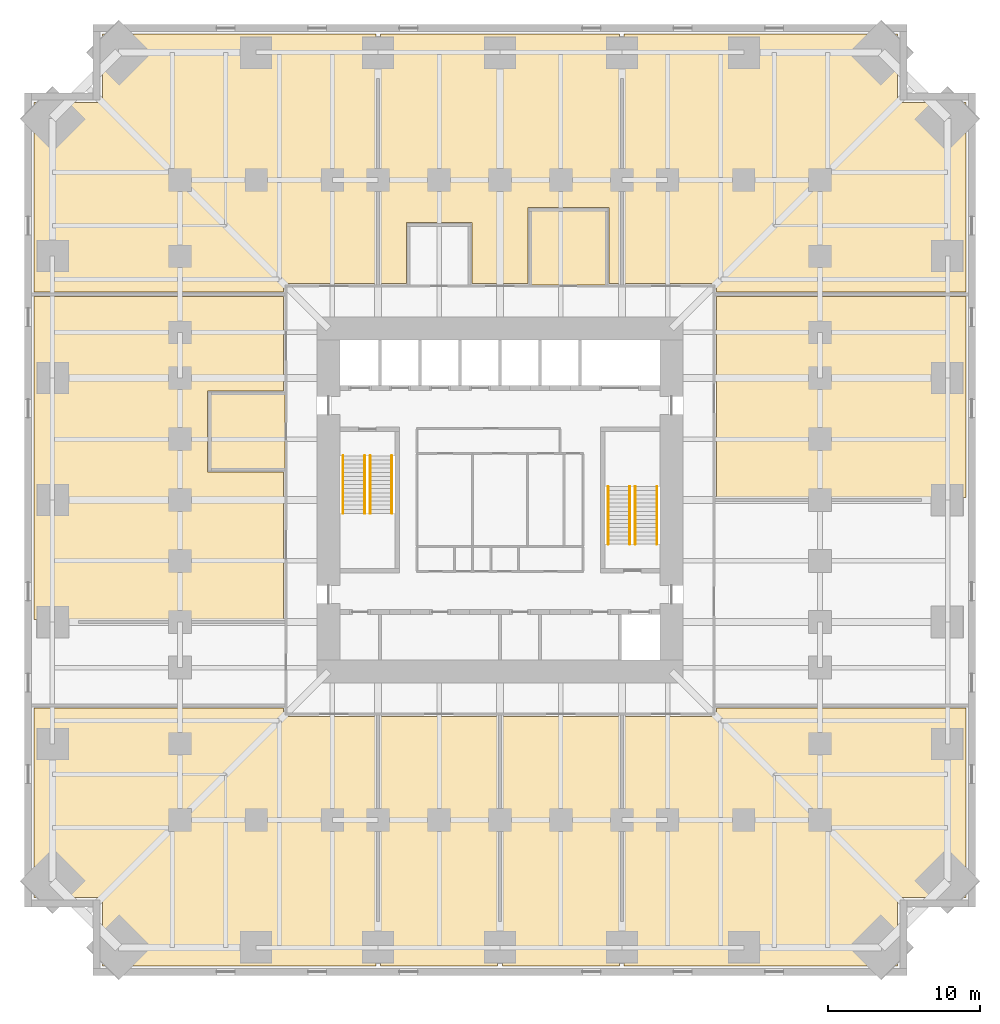
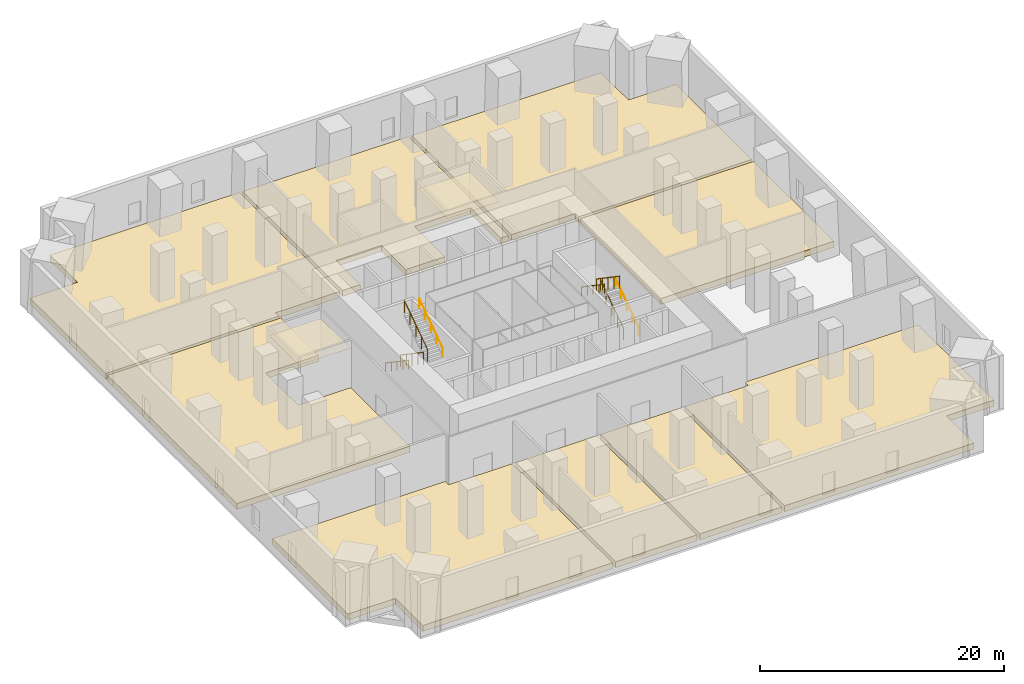
# One storey, part 8 of 8: 11 coverings, 8 railings.
"""IFC4 building model written with IfcOpenShell, lengths in metres."""

from ifc_helpers import new_model, si_unit, direction, frame, origin, origin_2d, place, context, subcontext, project, spatial, polyline, circle, outline, extrude, material, layer, layer_set, type_object, element, save


model = new_model("IFC4")

# Units and contexts
model_context = context("Model", 3, precision=1e-05, world=origin(), true_north=direction((0.0, 1.0)))
body_context = subcontext(model_context, "Body", "Model", "MODEL_VIEW")
ifc_project = project(units=[si_unit("LENGTHUNIT", "METRE"), si_unit("AREAUNIT", "SQUARE_METRE"), si_unit("VOLUMEUNIT", "CUBIC_METRE"), si_unit("PLANEANGLEUNIT", "RADIAN"), si_unit("MASSUNIT", "GRAM", prefix="KILO")], contexts=[model_context])

# Site, building, storey
site_placement = place(None, origin())
site = spatial("IfcSite", under=ifc_project, at=site_placement, CompositionType="ELEMENT")
building_placement = place(site_placement, origin())
building = spatial("IfcBuilding", under=site, at=building_placement, Name="Peilmerk Tower", CompositionType="ELEMENT")
storey_placement = place(building_placement, frame((0.0, 0.0, 37.5)))
storey = spatial("IfcBuildingStorey", under=building, at=storey_placement, Name="L07", CompositionType="ELEMENT", Elevation=37.5)

# Coverings
ifc_material_1 = material(Name="Mineral fibre ceiling tiles", Category="mineral")
ifc_layer_1 = layer(ifc_material_1, 0.02490234375)
ifc_layer_set_1 = layer_set([ifc_layer_1], Name="Mineral fibre ceiling tiles")
covering_type_1 = type_object("IfcCoveringType", Name="CL1 25 suspended ceiling", PredefinedType="CEILING", material=ifc_layer_set_1)
covering_1_placement = place(storey_placement, frame((0.0, 0.0, 4.375)))
element("IfcCovering", 1, at=covering_1_placement, inside=storey, type_object=covering_type_1, Name="Suspended ceiling Operations office", PredefinedType="CEILING", context=body_context, shape_type="SweptSolid", body=[
    extrude(outline(polyline([(6.949951171875, 14.10009765625), (6.949951171875, 19.0), (2.050048828125, 19.0), (2.050048828125, 14.10009765625), (6.949951171875, 14.10009765625)])), origin(), (0.0, 0.0, 1.0), 0.02490234375),
])
covering_2_placement = place(storey_placement, frame((0.0, 0.0, 4.375)))
element("IfcCovering", 2, at=covering_2_placement, inside=storey, type_object=covering_type_1, Name="Suspended ceiling Customer meeting room", PredefinedType="CEILING", context=body_context, shape_type="SweptSolid", body=[
    extrude(outline(polyline([(-14.10009765625, 2.050048828125), (-14.10009765625, 6.949951171875), (-19.0, 6.949951171875), (-19.0, 2.050048828125), (-14.10009765625, 2.050048828125)])), origin(), (0.0, 0.0, 1.0), 0.02490234375),
])

# Railings
ifc_material_2 = material(Name="Steel flat bar balustrade", Category="steel")
railing_type_1 = type_object("IfcRailingType", Name="GR1 1200 stair guard", PredefinedType="GUARDRAIL", material=ifc_material_2)
railing_1_placement = place(storey_placement, frame((-8.8798828125, 2.89990234375, 0.183349609375)))
element("IfcRailing", 3, at=railing_1_placement, inside=storey, type_object=railing_type_1, Name="Guard stair 1 L07", PredefinedType="GUARDRAIL", context=body_context, shape_type="SweptSolid", body=[
    extrude(circle(Radius=0.02392578125, at=origin_2d()), frame((0.0, 0.0, 1.17578125), z_axis=(0.0, -0.827293068839, 0.56177057439), x_axis=(1.0, 0.0, 0.0)), (0.0, 0.0, 1.0), 4.56884765625),
    extrude(circle(Radius=0.02099609375, at=origin_2d()), origin(), (0.0, 0.0, 1.0), 1.15185546875),
    extrude(circle(Radius=0.02099609375, at=origin_2d()), frame((0.0, -0.94482421875, 0.6416015625)), (0.0, 0.0, 1.0), 1.15185546875),
    extrude(circle(Radius=0.02099609375, at=origin_2d()), frame((0.0, -1.889892578125, 1.283203125)), (0.0, 0.0, 1.0), 1.15185546875),
    extrude(circle(Radius=0.02099609375, at=origin_2d()), frame((0.0, -2.8349609375, 1.925048828125)), (0.0, 0.0, 1.0), 1.15185546875),
    extrude(circle(Radius=0.02099609375, at=origin_2d()), frame((0.0, -3.77978515625, 2.566650390625)), (0.0, 0.0, 1.0), 1.15185546875),
])
for number, where, name in (
    (4, (-8.52001953125, -0.8798828125, 2.933349609375), "Guard stair 1 L07"),
    (5, (8.8798828125, -2.89990234375, 0.183349609375), "Guard stair 2 L07"),
):
    element("IfcRailing", number, at=place(storey_placement, frame(where)), inside=storey, type_object=railing_type_1, Name=name, PredefinedType="GUARDRAIL", context=body_context, shape_type="SweptSolid", body=[
        extrude(circle(Radius=0.02392578125, at=origin_2d()), frame((0.0, 0.0, 1.17578125), z_axis=(0.0, 0.827293068839, 0.56177057439), x_axis=(-1.0, 0.0, 0.0)), (0.0, 0.0, 1.0), 4.56884765625),
        extrude(circle(Radius=0.02099609375, at=origin_2d()), origin(), (0.0, 0.0, 1.0), 1.15185546875),
        extrude(circle(Radius=0.02099609375, at=origin_2d()), frame((0.0, 0.94482421875, 0.6416015625)), (0.0, 0.0, 1.0), 1.15185546875),
        extrude(circle(Radius=0.02099609375, at=origin_2d()), frame((0.0, 1.889892578125, 1.283203125)), (0.0, 0.0, 1.0), 1.15185546875),
        extrude(circle(Radius=0.02099609375, at=origin_2d()), frame((0.0, 2.8349609375, 1.925048828125)), (0.0, 0.0, 1.0), 1.15185546875),
        extrude(circle(Radius=0.02099609375, at=origin_2d()), frame((0.0, 3.77978515625, 2.566650390625)), (0.0, 0.0, 1.0), 1.15185546875),
    ])
railing_2_placement = place(storey_placement, frame((8.52001953125, 0.8798828125, 2.933349609375)))
element("IfcRailing", 6, at=railing_2_placement, inside=storey, type_object=railing_type_1, Name="Guard stair 2 L07", PredefinedType="GUARDRAIL", context=body_context, shape_type="SweptSolid", body=[
    extrude(circle(Radius=0.02392578125, at=origin_2d()), frame((0.0, 0.0, 1.17578125), z_axis=(0.0, -0.827293068839, 0.56177057439), x_axis=(1.0, 0.0, 0.0)), (0.0, 0.0, 1.0), 4.56884765625),
    extrude(circle(Radius=0.02099609375, at=origin_2d()), origin(), (0.0, 0.0, 1.0), 1.15185546875),
    extrude(circle(Radius=0.02099609375, at=origin_2d()), frame((0.0, -0.94482421875, 0.6416015625)), (0.0, 0.0, 1.0), 1.15185546875),
    extrude(circle(Radius=0.02099609375, at=origin_2d()), frame((0.0, -1.889892578125, 1.283203125)), (0.0, 0.0, 1.0), 1.15185546875),
    extrude(circle(Radius=0.02099609375, at=origin_2d()), frame((0.0, -2.8349609375, 1.925048828125)), (0.0, 0.0, 1.0), 1.15185546875),
    extrude(circle(Radius=0.02099609375, at=origin_2d()), frame((0.0, -3.77978515625, 2.566650390625)), (0.0, 0.0, 1.0), 1.15185546875),
])
ifc_material_3 = material(Name="Stainless steel tube", Category="steel")
railing_type_2 = type_object("IfcRailingType", Name="HR1 900 stair handrail", PredefinedType="HANDRAIL", material=ifc_material_3)
railing_3_placement = place(storey_placement, frame((-10.300048828125, 2.89990234375, 0.183349609375)))
element("IfcRailing", 7, at=railing_3_placement, inside=storey, type_object=railing_type_2, Name="Handrail stair 1 L07", PredefinedType="HANDRAIL", context=body_context, shape_type="SweptSolid", body=[
    extrude(circle(Radius=0.02392578125, at=origin_2d()), frame((0.0, 0.0, 0.8759765625), z_axis=(0.0, -0.827293068839, 0.56177057439), x_axis=(1.0, 0.0, 0.0)), (0.0, 0.0, 1.0), 4.56884765625),
    extrude(circle(Radius=0.02099609375, at=origin_2d()), origin(), (0.0, 0.0, 1.0), 0.851806640625),
    extrude(circle(Radius=0.02099609375, at=origin_2d()), frame((0.0, -0.94482421875, 0.6416015625)), (0.0, 0.0, 1.0), 0.851806640625),
    extrude(circle(Radius=0.02099609375, at=origin_2d()), frame((0.0, -1.889892578125, 1.283203125)), (0.0, 0.0, 1.0), 0.851806640625),
    extrude(circle(Radius=0.02099609375, at=origin_2d()), frame((0.0, -2.8349609375, 1.925048828125)), (0.0, 0.0, 1.0), 0.851806640625),
    extrude(circle(Radius=0.02099609375, at=origin_2d()), frame((0.0, -3.77978515625, 2.566650390625)), (0.0, 0.0, 1.0), 0.851806640625),
])
for number, where, name in (
    (8, (-7.10009765625, -0.8798828125, 2.933349609375), "Handrail stair 1 L07"),
    (9, (10.300048828125, -2.89990234375, 0.183349609375), "Handrail stair 2 L07"),
):
    element("IfcRailing", number, at=place(storey_placement, frame(where)), inside=storey, type_object=railing_type_2, Name=name, PredefinedType="HANDRAIL", context=body_context, shape_type="SweptSolid", body=[
        extrude(circle(Radius=0.02392578125, at=origin_2d()), frame((0.0, 0.0, 0.8759765625), z_axis=(0.0, 0.827293068839, 0.56177057439), x_axis=(-1.0, 0.0, 0.0)), (0.0, 0.0, 1.0), 4.56884765625),
        extrude(circle(Radius=0.02099609375, at=origin_2d()), origin(), (0.0, 0.0, 1.0), 0.851806640625),
        extrude(circle(Radius=0.02099609375, at=origin_2d()), frame((0.0, 0.94482421875, 0.6416015625)), (0.0, 0.0, 1.0), 0.851806640625),
        extrude(circle(Radius=0.02099609375, at=origin_2d()), frame((0.0, 1.889892578125, 1.283203125)), (0.0, 0.0, 1.0), 0.851806640625),
        extrude(circle(Radius=0.02099609375, at=origin_2d()), frame((0.0, 2.8349609375, 1.925048828125)), (0.0, 0.0, 1.0), 0.851806640625),
        extrude(circle(Radius=0.02099609375, at=origin_2d()), frame((0.0, 3.77978515625, 2.566650390625)), (0.0, 0.0, 1.0), 0.851806640625),
    ])
railing_4_placement = place(storey_placement, frame((7.10009765625, 0.8798828125, 2.933349609375)))
element("IfcRailing", 10, at=railing_4_placement, inside=storey, type_object=railing_type_2, Name="Handrail stair 2 L07", PredefinedType="HANDRAIL", context=body_context, shape_type="SweptSolid", body=[
    extrude(circle(Radius=0.02392578125, at=origin_2d()), frame((0.0, 0.0, 0.8759765625), z_axis=(0.0, -0.827293068839, 0.56177057439), x_axis=(1.0, 0.0, 0.0)), (0.0, 0.0, 1.0), 4.56884765625),
    extrude(circle(Radius=0.02099609375, at=origin_2d()), origin(), (0.0, 0.0, 1.0), 0.851806640625),
    extrude(circle(Radius=0.02099609375, at=origin_2d()), frame((0.0, -0.94482421875, 0.6416015625)), (0.0, 0.0, 1.0), 0.851806640625),
    extrude(circle(Radius=0.02099609375, at=origin_2d()), frame((0.0, -1.889892578125, 1.283203125)), (0.0, 0.0, 1.0), 0.851806640625),
    extrude(circle(Radius=0.02099609375, at=origin_2d()), frame((0.0, -2.8349609375, 1.925048828125)), (0.0, 0.0, 1.0), 0.851806640625),
    extrude(circle(Radius=0.02099609375, at=origin_2d()), frame((0.0, -3.77978515625, 2.566650390625)), (0.0, 0.0, 1.0), 0.851806640625),
])

# Coverings
ifc_material_4 = material(Name="Steel raised access floor panels on pedestals", Category="steel")
ifc_layer_2 = layer(ifc_material_4, 0.60009765625)
ifc_layer_set_2 = layer_set([ifc_layer_2], Name="Steel raised access floor panels on pedestals")
covering_type_2 = type_object("IfcCoveringType", Name="RF1 600 raised access floor", PredefinedType="FLOORING", material=ifc_layer_set_2)
covering_3_placement = place(storey_placement, origin())
element("IfcCovering", 11, at=covering_3_placement, inside=storey, type_object=covering_type_2, Name="Raised access floor Computer room A", PredefinedType="FLOORING", context=body_context, shape_type="SweptSolid", body=[
    extrude(outline(polyline([(-30.60009765625, 26.10009765625), (-30.60009765625, 13.64990234375), (-14.199951171875, 13.64990234375), (-14.199951171875, 14.199951171875), (-8.14990234375, 14.199951171875), (-8.14990234375, 30.60009765625), (-26.10009765625, 30.60009765625), (-26.10009765625, 26.10009765625), (-30.60009765625, 26.10009765625)])), origin(), (0.0, 0.0, 1.0), 0.60009765625),
])
covering_4_placement = place(storey_placement, origin())
element("IfcCovering", 12, at=covering_4_placement, inside=storey, type_object=covering_type_2, Name="Raised access floor Meet-me room A", PredefinedType="FLOORING", context=body_context, shape_type="SweptSolid", body=[
    extrude(outline(polyline([(7.85009765625, 14.199951171875), (7.85009765625, 30.60009765625), (-7.85009765625, 30.60009765625), (-7.85009765625, 14.199951171875), (-6.14990234375, 14.199951171875), (-6.14990234375, 18.199951171875), (-1.85009765625, 18.199951171875), (-1.85009765625, 14.199951171875), (1.85009765625, 14.199951171875), (1.85009765625, 19.199951171875), (7.14990234375, 19.199951171875), (7.14990234375, 14.199951171875), (7.85009765625, 14.199951171875)])), origin(), (0.0, 0.0, 1.0), 0.60009765625),
])
covering_5_placement = place(storey_placement, origin())
element("IfcCovering", 13, at=covering_5_placement, inside=storey, type_object=covering_type_2, Name="Raised access floor Computer room B", PredefinedType="FLOORING", context=body_context, shape_type="SweptSolid", body=[
    extrude(outline(polyline([(26.10009765625, 30.60009765625), (8.14990234375, 30.60009765625), (8.14990234375, 14.199951171875), (14.199951171875, 14.199951171875), (14.199951171875, 13.64990234375), (30.60009765625, 13.64990234375), (30.60009765625, 26.10009765625), (26.10009765625, 26.10009765625), (26.10009765625, 30.60009765625)])), origin(), (0.0, 0.0, 1.0), 0.60009765625),
])
covering_6_placement = place(storey_placement, origin())
element("IfcCovering", 14, at=covering_6_placement, inside=storey, type_object=covering_type_2, Name="Raised access floor Cross-connect room", PredefinedType="FLOORING", context=body_context, shape_type="SweptSolid", body=[
    extrude(outline(polyline([(-26.10009765625, -30.60009765625), (-8.14990234375, -30.60009765625), (-8.14990234375, -14.199951171875), (-14.199951171875, -14.199951171875), (-14.199951171875, -13.64990234375), (-30.60009765625, -13.64990234375), (-30.60009765625, -26.10009765625), (-26.10009765625, -26.10009765625), (-26.10009765625, -30.60009765625)])), origin(), (0.0, 0.0, 1.0), 0.60009765625),
])
covering_7_placement = place(storey_placement, origin())
element("IfcCovering", 15, at=covering_7_placement, inside=storey, type_object=covering_type_2, Name="Raised access floor Meet-me room B", PredefinedType="FLOORING", context=body_context, shape_type="SweptSolid", body=[
    extrude(outline(polyline([(-7.85009765625, -30.60009765625), (-0.14990234375, -30.60009765625), (-0.14990234375, -14.199951171875), (-7.85009765625, -14.199951171875), (-7.85009765625, -30.60009765625)])), origin(), (0.0, 0.0, 1.0), 0.60009765625),
])
covering_8_placement = place(storey_placement, origin())
element("IfcCovering", 16, at=covering_8_placement, inside=storey, type_object=covering_type_2, Name="Raised access floor Carrier room", PredefinedType="FLOORING", context=body_context, shape_type="SweptSolid", body=[
    extrude(outline(polyline([(0.14990234375, -30.60009765625), (7.85009765625, -30.60009765625), (7.85009765625, -14.199951171875), (0.14990234375, -14.199951171875), (0.14990234375, -30.60009765625)])), origin(), (0.0, 0.0, 1.0), 0.60009765625),
])
covering_9_placement = place(storey_placement, origin())
element("IfcCovering", 17, at=covering_9_placement, inside=storey, type_object=covering_type_2, Name="Raised access floor Network room", PredefinedType="FLOORING", context=body_context, shape_type="SweptSolid", body=[
    extrude(outline(polyline([(8.14990234375, -30.60009765625), (26.10009765625, -30.60009765625), (26.10009765625, -26.10009765625), (30.60009765625, -26.10009765625), (30.60009765625, -13.64990234375), (14.199951171875, -13.64990234375), (14.199951171875, -14.199951171875), (8.14990234375, -14.199951171875), (8.14990234375, -30.60009765625)])), origin(), (0.0, 0.0, 1.0), 0.60009765625),
])
covering_10_placement = place(storey_placement, origin())
element("IfcCovering", 18, at=covering_10_placement, inside=storey, type_object=covering_type_2, Name="Raised access floor UPS room", PredefinedType="FLOORING", context=body_context, shape_type="SweptSolid", body=[
    extrude(outline(polyline([(30.60009765625, 0.14990234375), (30.60009765625, 13.35009765625), (14.199951171875, 13.35009765625), (14.199951171875, 0.14990234375), (30.60009765625, 0.14990234375)])), origin(), (0.0, 0.0, 1.0), 0.60009765625),
])
covering_11_placement = place(storey_placement, origin())
element("IfcCovering", 19, at=covering_11_placement, inside=storey, type_object=covering_type_2, Name="Raised access floor Fibre distribution room", PredefinedType="FLOORING", context=body_context, shape_type="SweptSolid", body=[
    extrude(outline(polyline([(-14.199951171875, 13.35009765625), (-30.60009765625, 13.35009765625), (-30.60009765625, -7.85009765625), (-14.199951171875, -7.85009765625), (-14.199951171875, 1.85009765625), (-19.199951171875, 1.85009765625), (-19.199951171875, 7.14990234375), (-14.199951171875, 7.14990234375), (-14.199951171875, 13.35009765625)])), origin(), (0.0, 0.0, 1.0), 0.60009765625),
])

save(model, "model.ifc")
